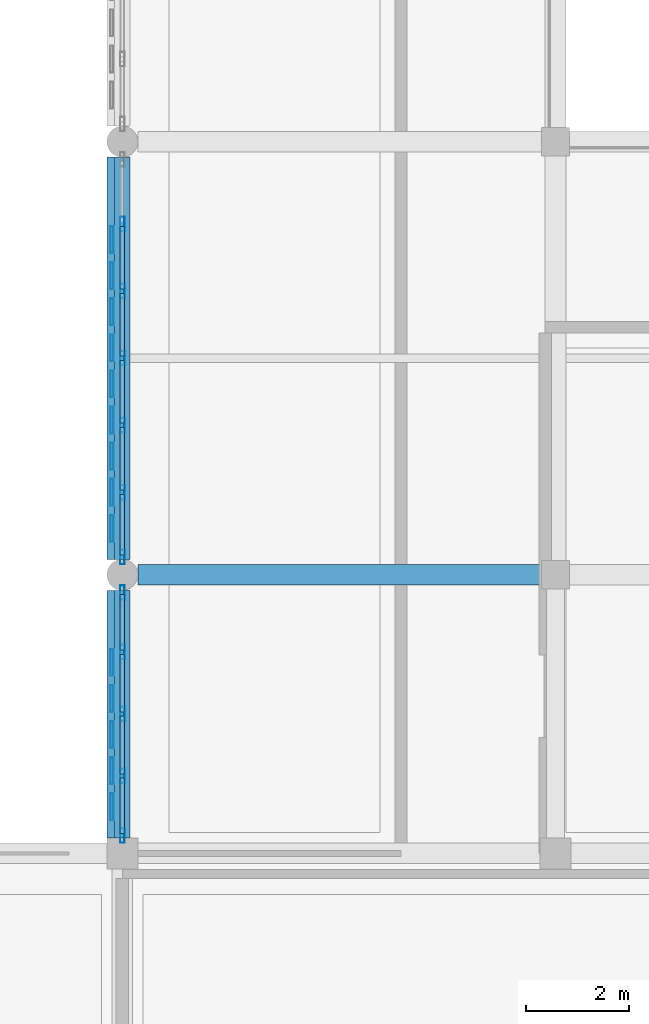
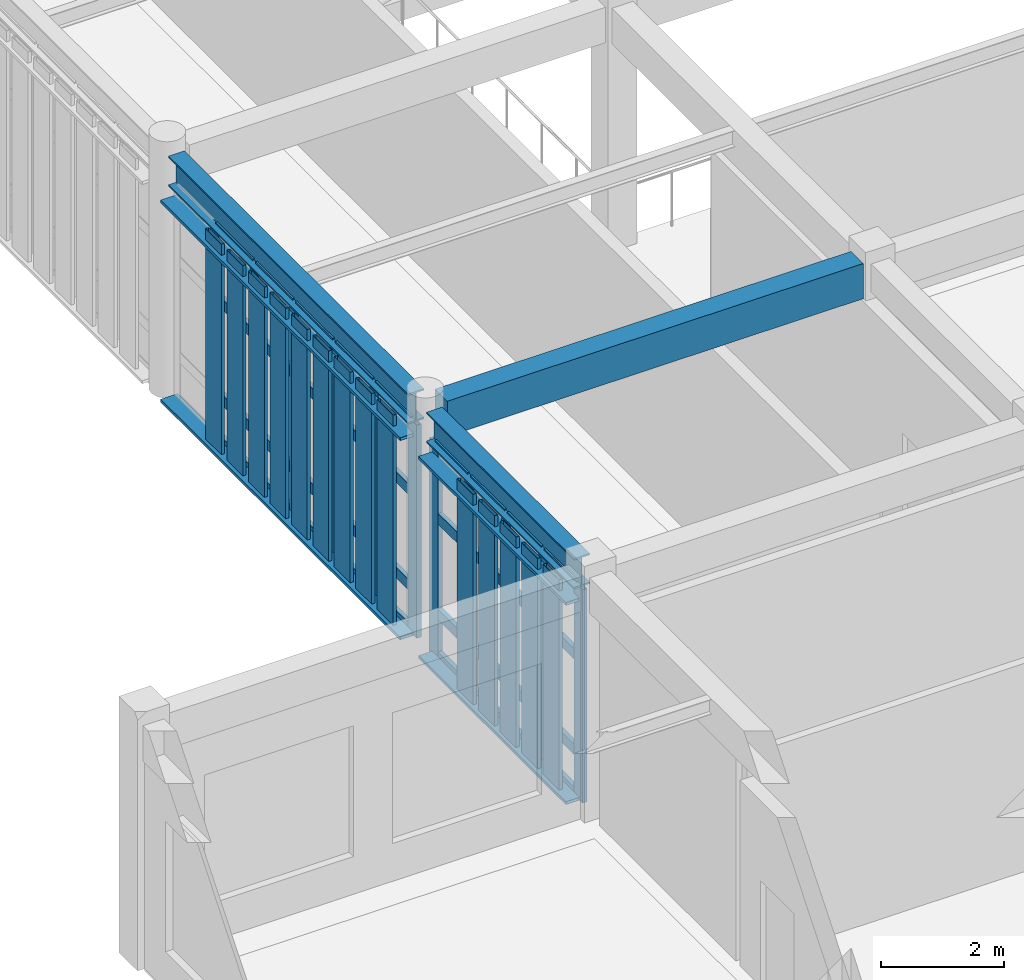
# One storey, part 12 of 77: 65 members, 3 beams, 2 elements without a shape of their own.
"""IFC4 building model written with IfcOpenShell, lengths in metres."""

from ifc_helpers import new_model, si_unit, direction, frame, origin, origin_2d, place, context, subcontext, project, spatial, rectangle, hollow_rectangle, i_section, extrude, material, layer, layer_set, material_profile, profile_set, type_object, element, aggregate, save


model = new_model("IFC4")

# Units and contexts
model_context = context("Model", 3, precision=1e-05, world=origin(), true_north=direction((0.0, 1.0)))
body_context = subcontext(model_context, "Body", "Model", "MODEL_VIEW")
ifc_project = project(units=[si_unit("LENGTHUNIT", "METRE"), si_unit("AREAUNIT", "SQUARE_METRE"), si_unit("VOLUMEUNIT", "CUBIC_METRE"), si_unit("PLANEANGLEUNIT", "RADIAN"), si_unit("MASSUNIT", "GRAM", prefix="KILO")], contexts=[model_context])

# Site, building, storey
site_placement = place(None, origin())
site = spatial("IfcSite", under=ifc_project, at=site_placement, CompositionType="ELEMENT")
building_placement = place(site_placement, origin())
building = spatial("IfcBuilding", under=site, at=building_placement, Name="Krzemoval Escarpment Law Courts", CompositionType="ELEMENT")
storey_placement = place(building_placement, frame((0.0, 0.0, 15.300048828125)))
storey = spatial("IfcBuildingStorey", under=building, at=storey_placement, Name="L03", CompositionType="ELEMENT", Elevation=15.300048828125)

# Beam
ifc_material_1 = material(Name="Concrete C40/50", Category="concrete")
ifc_material_profile_1 = material_profile(ifc_material_1, rectangle(XDim=0.39990234375, YDim=0.699951171875, at=origin_2d()), Name="RCB 400x700")
ifc_profile_set_1 = profile_set([ifc_material_profile_1], Name="Concrete C40/50")
beam_type_1 = type_object("IfcBeamType", Name="BM-RC-400x700", PredefinedType="BEAM", material=ifc_profile_set_1)
beam_1_placement = place(storey_placement, frame((8.699951171875, 40.800048828125, 4.489990234375), z_axis=(1.0, 0.0, 0.0), x_axis=(0.0, 1.0, 0.0)))
element("IfcBeam", 1, at=beam_1_placement, inside=storey, type_object=beam_type_1, Name="Beam FG-L03-2149", PredefinedType="BEAM", context=body_context, shape_type="SweptSolid", body=[
    extrude(rectangle(XDim=0.39990234375, YDim=0.699951171875, at=origin_2d()), origin(), (0.0, 0.0, 1.0), 7.824951171875),
])

# Curtain wall, members
ifc_material_2 = material(Name="Aluminium 6063-T6", Category="aluminium")
ifc_layer = layer(ifc_material_2, 0.280029296875)
ifc_layer_set = layer_set([ifc_layer], Name="Aluminium 6063-T6")
curtain_wall_type = type_object("IfcCurtainWallType", Name="CW-HALL-5100", PredefinedType="USERDEFINED", material=ifc_layer_set)
curtain_wall_1_placement = place(storey_placement, origin())
curtain_wall_1 = element("IfcCurtainWall", 2, at=curtain_wall_1_placement, inside=storey, type_object=curtain_wall_type, Name="Unitised Curtain Wall FCW-L03-096", ObjectType="UNITISED_CURTAIN_WALL", PredefinedType="USERDEFINED")
ifc_material_3 = material(Name="Aluminium 6063-T6", Category="aluminium")
ifc_material_profile_2 = material_profile(ifc_material_3, hollow_rectangle(XDim=0.0849609375, YDim=0.280029296875, WallThickness=0.005615234375, at=origin_2d()), Name="ALU M85x280")
ifc_profile_set_2 = profile_set([ifc_material_profile_2], Name="Aluminium 6063-T6")
member_type_1 = type_object("IfcMemberType", Name="CWM-85x280", PredefinedType="MULLION", material=ifc_profile_set_2)
member_1_placement = place(storey_placement, frame((8.39990234375, 35.742431640625, 0.0), z_axis=(0.0, 0.0, 1.0), x_axis=(-1.0, 0.0, 0.0)))
member_1 = element("IfcMember", 3, at=member_1_placement, type_object=member_type_1, Name="FCW-L03-096 mullion 1", PredefinedType="MULLION", context=body_context, shape_type="SweptSolid", body=[
    extrude(hollow_rectangle(XDim=0.0849609375, YDim=0.280029296875, WallThickness=0.005615234375, at=origin_2d()), origin(), (0.0, 0.0, 1.0), 4.239990234375),
])
member_2_placement = place(storey_placement, frame((8.39990234375, 36.89990234375, 0.0), z_axis=(0.0, 0.0, 1.0), x_axis=(-1.0, 0.0, 0.0)))
member_2 = element("IfcMember", 4, at=member_2_placement, type_object=member_type_1, Name="FCW-L03-096 mullion 2", PredefinedType="MULLION", context=body_context, shape_type="SweptSolid", body=[
    extrude(hollow_rectangle(XDim=0.0849609375, YDim=0.280029296875, WallThickness=0.005615234375, at=origin_2d()), origin(), (0.0, 0.0, 1.0), 4.239990234375),
])
member_3_placement = place(storey_placement, frame((8.39990234375, 38.10009765625, 0.0), z_axis=(0.0, 0.0, 1.0), x_axis=(-1.0, 0.0, 0.0)))
member_3 = element("IfcMember", 5, at=member_3_placement, type_object=member_type_1, Name="FCW-L03-096 mullion 3", PredefinedType="MULLION", context=body_context, shape_type="SweptSolid", body=[
    extrude(hollow_rectangle(XDim=0.0849609375, YDim=0.280029296875, WallThickness=0.005615234375, at=origin_2d()), origin(), (0.0, 0.0, 1.0), 4.239990234375),
])
member_4_placement = place(storey_placement, frame((8.39990234375, 39.300048828125, 0.0), z_axis=(0.0, 0.0, 1.0), x_axis=(-1.0, 0.0, 0.0)))
member_4 = element("IfcMember", 6, at=member_4_placement, type_object=member_type_1, Name="FCW-L03-096 mullion 4", PredefinedType="MULLION", context=body_context, shape_type="SweptSolid", body=[
    extrude(hollow_rectangle(XDim=0.0849609375, YDim=0.280029296875, WallThickness=0.005615234375, at=origin_2d()), origin(), (0.0, 0.0, 1.0), 4.239990234375),
])
member_5_placement = place(storey_placement, frame((8.39990234375, 40.45751953125, 0.0), z_axis=(0.0, 0.0, 1.0), x_axis=(-1.0, 0.0, 0.0)))
member_5 = element("IfcMember", 7, at=member_5_placement, type_object=member_type_1, Name="FCW-L03-096 mullion 5", PredefinedType="MULLION", context=body_context, shape_type="SweptSolid", body=[
    extrude(hollow_rectangle(XDim=0.0849609375, YDim=0.280029296875, WallThickness=0.005615234375, at=origin_2d()), origin(), (0.0, 0.0, 1.0), 4.239990234375),
])

curtain_wall_2_placement = place(storey_placement, origin())
curtain_wall_2 = element("IfcCurtainWall", 8, at=curtain_wall_2_placement, inside=storey, type_object=curtain_wall_type, Name="Unitised Curtain Wall FCW-L03-097", ObjectType="UNITISED_CURTAIN_WALL", PredefinedType="USERDEFINED")
member_6_placement = place(storey_placement, frame((8.39990234375, 41.142578125, 0.0), z_axis=(0.0, 0.0, 1.0), x_axis=(-1.0, 0.0, 0.0)))
member_6 = element("IfcMember", 9, at=member_6_placement, type_object=member_type_1, Name="FCW-L03-097 mullion 1", PredefinedType="MULLION", context=body_context, shape_type="SweptSolid", body=[
    extrude(hollow_rectangle(XDim=0.0849609375, YDim=0.280029296875, WallThickness=0.005615234375, at=origin_2d()), origin(), (0.0, 0.0, 1.0), 4.239990234375),
])
member_7_placement = place(storey_placement, frame((8.39990234375, 42.39990234375, 0.0), z_axis=(0.0, 0.0, 1.0), x_axis=(-1.0, 0.0, 0.0)))
member_7 = element("IfcMember", 10, at=member_7_placement, type_object=member_type_1, Name="FCW-L03-097 mullion 2", PredefinedType="MULLION", context=body_context, shape_type="SweptSolid", body=[
    extrude(hollow_rectangle(XDim=0.0849609375, YDim=0.280029296875, WallThickness=0.005615234375, at=origin_2d()), origin(), (0.0, 0.0, 1.0), 4.239990234375),
])
member_8_placement = place(storey_placement, frame((8.39990234375, 43.699951171875, 0.0), z_axis=(0.0, 0.0, 1.0), x_axis=(-1.0, 0.0, 0.0)))
member_8 = element("IfcMember", 11, at=member_8_placement, type_object=member_type_1, Name="FCW-L03-097 mullion 3", PredefinedType="MULLION", context=body_context, shape_type="SweptSolid", body=[
    extrude(hollow_rectangle(XDim=0.0849609375, YDim=0.280029296875, WallThickness=0.005615234375, at=origin_2d()), origin(), (0.0, 0.0, 1.0), 4.239990234375),
])
member_9_placement = place(storey_placement, frame((8.39990234375, 45.0, 0.0), z_axis=(0.0, 0.0, 1.0), x_axis=(-1.0, 0.0, 0.0)))
member_9 = element("IfcMember", 12, at=member_9_placement, type_object=member_type_1, Name="FCW-L03-097 mullion 4", PredefinedType="MULLION", context=body_context, shape_type="SweptSolid", body=[
    extrude(hollow_rectangle(XDim=0.0849609375, YDim=0.280029296875, WallThickness=0.005615234375, at=origin_2d()), origin(), (0.0, 0.0, 1.0), 4.239990234375),
])
member_10_placement = place(storey_placement, frame((8.39990234375, 46.300048828125, 0.0), z_axis=(0.0, 0.0, 1.0), x_axis=(-1.0, 0.0, 0.0)))
member_10 = element("IfcMember", 13, at=member_10_placement, type_object=member_type_1, Name="FCW-L03-097 mullion 5", PredefinedType="MULLION", context=body_context, shape_type="SweptSolid", body=[
    extrude(hollow_rectangle(XDim=0.0849609375, YDim=0.280029296875, WallThickness=0.005615234375, at=origin_2d()), origin(), (0.0, 0.0, 1.0), 4.239990234375),
])
member_11_placement = place(storey_placement, frame((8.39990234375, 47.60009765625, 0.0), z_axis=(0.0, 0.0, 1.0), x_axis=(-1.0, 0.0, 0.0)))
member_11 = element("IfcMember", 14, at=member_11_placement, type_object=member_type_1, Name="FCW-L03-097 mullion 6", PredefinedType="MULLION", context=body_context, shape_type="SweptSolid", body=[
    extrude(hollow_rectangle(XDim=0.0849609375, YDim=0.280029296875, WallThickness=0.005615234375, at=origin_2d()), origin(), (0.0, 0.0, 1.0), 4.239990234375),
])

# Member
ifc_material_4 = material(Name="Aluminium 6063-T6", Category="aluminium")
ifc_material_profile_3 = material_profile(ifc_material_4, hollow_rectangle(XDim=0.0849609375, YDim=0.2099609375, WallThickness=0.005615234375, at=origin_2d()), Name="ALU T85x210")
ifc_profile_set_3 = profile_set([ifc_material_profile_3], Name="Aluminium 6063-T6")
member_type_2 = type_object("IfcMemberType", Name="CWT-85x210", PredefinedType="USERDEFINED", material=ifc_profile_set_3)
member_12_placement = place(storey_placement, frame((8.39990234375, 35.784912109375, 0.04248046875), z_axis=(0.0, 1.0, 0.0), x_axis=(-1.0, 0.0, 0.0)))
member_12 = element("IfcMember", 15, at=member_12_placement, type_object=member_type_2, Name="FCW-L03-096 transom 1.1", ObjectType="TRANSOM", PredefinedType="USERDEFINED", context=body_context, shape_type="SweptSolid", body=[
    extrude(hollow_rectangle(XDim=0.0849609375, YDim=0.2099609375, WallThickness=0.005615234375, at=origin_2d()), origin(), (0.0, 0.0, 1.0), 1.072509765625),
])

member_13_placement = place(storey_placement, frame((8.39990234375, 35.784912109375, 0.89990234375), z_axis=(0.0, 1.0, 0.0), x_axis=(-1.0, 0.0, 0.0)))
member_13 = element("IfcMember", 16, at=member_13_placement, type_object=member_type_2, Name="FCW-L03-096 transom 1.2", ObjectType="TRANSOM", PredefinedType="USERDEFINED", context=body_context, shape_type="SweptSolid", body=[
    extrude(hollow_rectangle(XDim=0.0849609375, YDim=0.2099609375, WallThickness=0.005615234375, at=origin_2d()), origin(), (0.0, 0.0, 1.0), 1.072509765625),
])

member_14_placement = place(storey_placement, frame((8.39990234375, 35.784912109375, 2.800048828125), z_axis=(0.0, 1.0, 0.0), x_axis=(-1.0, 0.0, 0.0)))
member_14 = element("IfcMember", 17, at=member_14_placement, type_object=member_type_2, Name="FCW-L03-096 transom 1.3", ObjectType="TRANSOM", PredefinedType="USERDEFINED", context=body_context, shape_type="SweptSolid", body=[
    extrude(hollow_rectangle(XDim=0.0849609375, YDim=0.2099609375, WallThickness=0.005615234375, at=origin_2d()), origin(), (0.0, 0.0, 1.0), 1.072509765625),
])

member_15_placement = place(storey_placement, frame((8.39990234375, 35.784912109375, 4.197509765625), z_axis=(0.0, 1.0, 0.0), x_axis=(-1.0, 0.0, 0.0)))
member_15 = element("IfcMember", 18, at=member_15_placement, type_object=member_type_2, Name="FCW-L03-096 transom 1.4", ObjectType="TRANSOM", PredefinedType="USERDEFINED", context=body_context, shape_type="SweptSolid", body=[
    extrude(hollow_rectangle(XDim=0.0849609375, YDim=0.2099609375, WallThickness=0.005615234375, at=origin_2d()), origin(), (0.0, 0.0, 1.0), 1.072509765625),
])

member_16_placement = place(storey_placement, frame((8.39990234375, 36.9423828125, 0.04248046875), z_axis=(0.0, 1.0, 0.0), x_axis=(-1.0, 0.0, 0.0)))
member_16 = element("IfcMember", 19, at=member_16_placement, type_object=member_type_2, Name="FCW-L03-096 transom 2.1", ObjectType="TRANSOM", PredefinedType="USERDEFINED", context=body_context, shape_type="SweptSolid", body=[
    extrude(hollow_rectangle(XDim=0.0849609375, YDim=0.2099609375, WallThickness=0.005615234375, at=origin_2d()), origin(), (0.0, 0.0, 1.0), 1.115234375),
])

member_17_placement = place(storey_placement, frame((8.39990234375, 36.9423828125, 0.89990234375), z_axis=(0.0, 1.0, 0.0), x_axis=(-1.0, 0.0, 0.0)))
member_17 = element("IfcMember", 20, at=member_17_placement, type_object=member_type_2, Name="FCW-L03-096 transom 2.2", ObjectType="TRANSOM", PredefinedType="USERDEFINED", context=body_context, shape_type="SweptSolid", body=[
    extrude(hollow_rectangle(XDim=0.0849609375, YDim=0.2099609375, WallThickness=0.005615234375, at=origin_2d()), origin(), (0.0, 0.0, 1.0), 1.115234375),
])

member_18_placement = place(storey_placement, frame((8.39990234375, 36.9423828125, 2.800048828125), z_axis=(0.0, 1.0, 0.0), x_axis=(-1.0, 0.0, 0.0)))
member_18 = element("IfcMember", 21, at=member_18_placement, type_object=member_type_2, Name="FCW-L03-096 transom 2.3", ObjectType="TRANSOM", PredefinedType="USERDEFINED", context=body_context, shape_type="SweptSolid", body=[
    extrude(hollow_rectangle(XDim=0.0849609375, YDim=0.2099609375, WallThickness=0.005615234375, at=origin_2d()), origin(), (0.0, 0.0, 1.0), 1.115234375),
])

member_19_placement = place(storey_placement, frame((8.39990234375, 36.9423828125, 4.197509765625), z_axis=(0.0, 1.0, 0.0), x_axis=(-1.0, 0.0, 0.0)))
member_19 = element("IfcMember", 22, at=member_19_placement, type_object=member_type_2, Name="FCW-L03-096 transom 2.4", ObjectType="TRANSOM", PredefinedType="USERDEFINED", context=body_context, shape_type="SweptSolid", body=[
    extrude(hollow_rectangle(XDim=0.0849609375, YDim=0.2099609375, WallThickness=0.005615234375, at=origin_2d()), origin(), (0.0, 0.0, 1.0), 1.115234375),
])

member_20_placement = place(storey_placement, frame((8.39990234375, 38.142578125, 0.04248046875), z_axis=(0.0, 1.0, 0.0), x_axis=(-1.0, 0.0, 0.0)))
member_20 = element("IfcMember", 23, at=member_20_placement, type_object=member_type_2, Name="FCW-L03-096 transom 3.1", ObjectType="TRANSOM", PredefinedType="USERDEFINED", context=body_context, shape_type="SweptSolid", body=[
    extrude(hollow_rectangle(XDim=0.0849609375, YDim=0.2099609375, WallThickness=0.005615234375, at=origin_2d()), origin(), (0.0, 0.0, 1.0), 1.114990234375),
])

member_21_placement = place(storey_placement, frame((8.39990234375, 38.142578125, 0.89990234375), z_axis=(0.0, 1.0, 0.0), x_axis=(-1.0, 0.0, 0.0)))
member_21 = element("IfcMember", 24, at=member_21_placement, type_object=member_type_2, Name="FCW-L03-096 transom 3.2", ObjectType="TRANSOM", PredefinedType="USERDEFINED", context=body_context, shape_type="SweptSolid", body=[
    extrude(hollow_rectangle(XDim=0.0849609375, YDim=0.2099609375, WallThickness=0.005615234375, at=origin_2d()), origin(), (0.0, 0.0, 1.0), 1.114990234375),
])

member_22_placement = place(storey_placement, frame((8.39990234375, 38.142578125, 2.800048828125), z_axis=(0.0, 1.0, 0.0), x_axis=(-1.0, 0.0, 0.0)))
member_22 = element("IfcMember", 25, at=member_22_placement, type_object=member_type_2, Name="FCW-L03-096 transom 3.3", ObjectType="TRANSOM", PredefinedType="USERDEFINED", context=body_context, shape_type="SweptSolid", body=[
    extrude(hollow_rectangle(XDim=0.0849609375, YDim=0.2099609375, WallThickness=0.005615234375, at=origin_2d()), origin(), (0.0, 0.0, 1.0), 1.114990234375),
])

member_23_placement = place(storey_placement, frame((8.39990234375, 38.142578125, 4.197509765625), z_axis=(0.0, 1.0, 0.0), x_axis=(-1.0, 0.0, 0.0)))
member_23 = element("IfcMember", 26, at=member_23_placement, type_object=member_type_2, Name="FCW-L03-096 transom 3.4", ObjectType="TRANSOM", PredefinedType="USERDEFINED", context=body_context, shape_type="SweptSolid", body=[
    extrude(hollow_rectangle(XDim=0.0849609375, YDim=0.2099609375, WallThickness=0.005615234375, at=origin_2d()), origin(), (0.0, 0.0, 1.0), 1.114990234375),
])

member_24_placement = place(storey_placement, frame((8.39990234375, 39.342529296875, 0.04248046875), z_axis=(0.0, 1.0, 0.0), x_axis=(-1.0, 0.0, 0.0)))
member_24 = element("IfcMember", 27, at=member_24_placement, type_object=member_type_2, Name="FCW-L03-096 transom 4.1", ObjectType="TRANSOM", PredefinedType="USERDEFINED", context=body_context, shape_type="SweptSolid", body=[
    extrude(hollow_rectangle(XDim=0.0849609375, YDim=0.2099609375, WallThickness=0.005615234375, at=origin_2d()), origin(), (0.0, 0.0, 1.0), 1.072509765625),
])

member_25_placement = place(storey_placement, frame((8.39990234375, 39.342529296875, 0.89990234375), z_axis=(0.0, 1.0, 0.0), x_axis=(-1.0, 0.0, 0.0)))
member_25 = element("IfcMember", 28, at=member_25_placement, type_object=member_type_2, Name="FCW-L03-096 transom 4.2", ObjectType="TRANSOM", PredefinedType="USERDEFINED", context=body_context, shape_type="SweptSolid", body=[
    extrude(hollow_rectangle(XDim=0.0849609375, YDim=0.2099609375, WallThickness=0.005615234375, at=origin_2d()), origin(), (0.0, 0.0, 1.0), 1.072509765625),
])

member_26_placement = place(storey_placement, frame((8.39990234375, 39.342529296875, 2.800048828125), z_axis=(0.0, 1.0, 0.0), x_axis=(-1.0, 0.0, 0.0)))
member_26 = element("IfcMember", 29, at=member_26_placement, type_object=member_type_2, Name="FCW-L03-096 transom 4.3", ObjectType="TRANSOM", PredefinedType="USERDEFINED", context=body_context, shape_type="SweptSolid", body=[
    extrude(hollow_rectangle(XDim=0.0849609375, YDim=0.2099609375, WallThickness=0.005615234375, at=origin_2d()), origin(), (0.0, 0.0, 1.0), 1.072509765625),
])

member_27_placement = place(storey_placement, frame((8.39990234375, 39.342529296875, 4.197509765625), z_axis=(0.0, 1.0, 0.0), x_axis=(-1.0, 0.0, 0.0)))
member_27 = element("IfcMember", 30, at=member_27_placement, type_object=member_type_2, Name="FCW-L03-096 transom 4.4", ObjectType="TRANSOM", PredefinedType="USERDEFINED", context=body_context, shape_type="SweptSolid", body=[
    extrude(hollow_rectangle(XDim=0.0849609375, YDim=0.2099609375, WallThickness=0.005615234375, at=origin_2d()), origin(), (0.0, 0.0, 1.0), 1.072509765625),
])

aggregate(curtain_wall_1, [member_1, member_2, member_3, member_4, member_5, member_12, member_13, member_14, member_15, member_16, member_17, member_18, member_19, member_20, member_21, member_22, member_23, member_24, member_25, member_26, member_27])

member_28_placement = place(storey_placement, frame((8.39990234375, 41.18505859375, 0.04248046875), z_axis=(0.0, 1.0, 0.0), x_axis=(-1.0, 0.0, 0.0)))
member_28 = element("IfcMember", 31, at=member_28_placement, type_object=member_type_2, Name="FCW-L03-097 transom 1.1", ObjectType="TRANSOM", PredefinedType="USERDEFINED", context=body_context, shape_type="SweptSolid", body=[
    extrude(hollow_rectangle(XDim=0.0849609375, YDim=0.2099609375, WallThickness=0.005615234375, at=origin_2d()), origin(), (0.0, 0.0, 1.0), 1.17236328125),
])

member_29_placement = place(storey_placement, frame((8.39990234375, 41.18505859375, 0.89990234375), z_axis=(0.0, 1.0, 0.0), x_axis=(-1.0, 0.0, 0.0)))
member_29 = element("IfcMember", 32, at=member_29_placement, type_object=member_type_2, Name="FCW-L03-097 transom 1.2", ObjectType="TRANSOM", PredefinedType="USERDEFINED", context=body_context, shape_type="SweptSolid", body=[
    extrude(hollow_rectangle(XDim=0.0849609375, YDim=0.2099609375, WallThickness=0.005615234375, at=origin_2d()), origin(), (0.0, 0.0, 1.0), 1.17236328125),
])

member_30_placement = place(storey_placement, frame((8.39990234375, 41.18505859375, 2.800048828125), z_axis=(0.0, 1.0, 0.0), x_axis=(-1.0, 0.0, 0.0)))
member_30 = element("IfcMember", 33, at=member_30_placement, type_object=member_type_2, Name="FCW-L03-097 transom 1.3", ObjectType="TRANSOM", PredefinedType="USERDEFINED", context=body_context, shape_type="SweptSolid", body=[
    extrude(hollow_rectangle(XDim=0.0849609375, YDim=0.2099609375, WallThickness=0.005615234375, at=origin_2d()), origin(), (0.0, 0.0, 1.0), 1.17236328125),
])

member_31_placement = place(storey_placement, frame((8.39990234375, 41.18505859375, 4.197509765625), z_axis=(0.0, 1.0, 0.0), x_axis=(-1.0, 0.0, 0.0)))
member_31 = element("IfcMember", 34, at=member_31_placement, type_object=member_type_2, Name="FCW-L03-097 transom 1.4", ObjectType="TRANSOM", PredefinedType="USERDEFINED", context=body_context, shape_type="SweptSolid", body=[
    extrude(hollow_rectangle(XDim=0.0849609375, YDim=0.2099609375, WallThickness=0.005615234375, at=origin_2d()), origin(), (0.0, 0.0, 1.0), 1.17236328125),
])

member_32_placement = place(storey_placement, frame((8.39990234375, 42.4423828125, 0.04248046875), z_axis=(0.0, 1.0, 0.0), x_axis=(-1.0, 0.0, 0.0)))
member_32 = element("IfcMember", 35, at=member_32_placement, type_object=member_type_2, Name="FCW-L03-097 transom 2.1", ObjectType="TRANSOM", PredefinedType="USERDEFINED", context=body_context, shape_type="SweptSolid", body=[
    extrude(hollow_rectangle(XDim=0.0849609375, YDim=0.2099609375, WallThickness=0.005615234375, at=origin_2d()), origin(), (0.0, 0.0, 1.0), 1.215087890625),
])

member_33_placement = place(storey_placement, frame((8.39990234375, 42.4423828125, 0.89990234375), z_axis=(0.0, 1.0, 0.0), x_axis=(-1.0, 0.0, 0.0)))
member_33 = element("IfcMember", 36, at=member_33_placement, type_object=member_type_2, Name="FCW-L03-097 transom 2.2", ObjectType="TRANSOM", PredefinedType="USERDEFINED", context=body_context, shape_type="SweptSolid", body=[
    extrude(hollow_rectangle(XDim=0.0849609375, YDim=0.2099609375, WallThickness=0.005615234375, at=origin_2d()), origin(), (0.0, 0.0, 1.0), 1.215087890625),
])

member_34_placement = place(storey_placement, frame((8.39990234375, 42.4423828125, 2.800048828125), z_axis=(0.0, 1.0, 0.0), x_axis=(-1.0, 0.0, 0.0)))
member_34 = element("IfcMember", 37, at=member_34_placement, type_object=member_type_2, Name="FCW-L03-097 transom 2.3", ObjectType="TRANSOM", PredefinedType="USERDEFINED", context=body_context, shape_type="SweptSolid", body=[
    extrude(hollow_rectangle(XDim=0.0849609375, YDim=0.2099609375, WallThickness=0.005615234375, at=origin_2d()), origin(), (0.0, 0.0, 1.0), 1.215087890625),
])

member_35_placement = place(storey_placement, frame((8.39990234375, 42.4423828125, 4.197509765625), z_axis=(0.0, 1.0, 0.0), x_axis=(-1.0, 0.0, 0.0)))
member_35 = element("IfcMember", 38, at=member_35_placement, type_object=member_type_2, Name="FCW-L03-097 transom 2.4", ObjectType="TRANSOM", PredefinedType="USERDEFINED", context=body_context, shape_type="SweptSolid", body=[
    extrude(hollow_rectangle(XDim=0.0849609375, YDim=0.2099609375, WallThickness=0.005615234375, at=origin_2d()), origin(), (0.0, 0.0, 1.0), 1.215087890625),
])

member_36_placement = place(storey_placement, frame((8.39990234375, 43.742431640625, 0.04248046875), z_axis=(0.0, 1.0, 0.0), x_axis=(-1.0, 0.0, 0.0)))
member_36 = element("IfcMember", 39, at=member_36_placement, type_object=member_type_2, Name="FCW-L03-097 transom 3.1", ObjectType="TRANSOM", PredefinedType="USERDEFINED", context=body_context, shape_type="SweptSolid", body=[
    extrude(hollow_rectangle(XDim=0.0849609375, YDim=0.2099609375, WallThickness=0.005615234375, at=origin_2d()), origin(), (0.0, 0.0, 1.0), 1.215087890625),
])

member_37_placement = place(storey_placement, frame((8.39990234375, 43.742431640625, 0.89990234375), z_axis=(0.0, 1.0, 0.0), x_axis=(-1.0, 0.0, 0.0)))
member_37 = element("IfcMember", 40, at=member_37_placement, type_object=member_type_2, Name="FCW-L03-097 transom 3.2", ObjectType="TRANSOM", PredefinedType="USERDEFINED", context=body_context, shape_type="SweptSolid", body=[
    extrude(hollow_rectangle(XDim=0.0849609375, YDim=0.2099609375, WallThickness=0.005615234375, at=origin_2d()), origin(), (0.0, 0.0, 1.0), 1.215087890625),
])

member_38_placement = place(storey_placement, frame((8.39990234375, 43.742431640625, 2.800048828125), z_axis=(0.0, 1.0, 0.0), x_axis=(-1.0, 0.0, 0.0)))
member_38 = element("IfcMember", 41, at=member_38_placement, type_object=member_type_2, Name="FCW-L03-097 transom 3.3", ObjectType="TRANSOM", PredefinedType="USERDEFINED", context=body_context, shape_type="SweptSolid", body=[
    extrude(hollow_rectangle(XDim=0.0849609375, YDim=0.2099609375, WallThickness=0.005615234375, at=origin_2d()), origin(), (0.0, 0.0, 1.0), 1.215087890625),
])

member_39_placement = place(storey_placement, frame((8.39990234375, 43.742431640625, 4.197509765625), z_axis=(0.0, 1.0, 0.0), x_axis=(-1.0, 0.0, 0.0)))
member_39 = element("IfcMember", 42, at=member_39_placement, type_object=member_type_2, Name="FCW-L03-097 transom 3.4", ObjectType="TRANSOM", PredefinedType="USERDEFINED", context=body_context, shape_type="SweptSolid", body=[
    extrude(hollow_rectangle(XDim=0.0849609375, YDim=0.2099609375, WallThickness=0.005615234375, at=origin_2d()), origin(), (0.0, 0.0, 1.0), 1.215087890625),
])

member_40_placement = place(storey_placement, frame((8.39990234375, 45.04248046875, 0.04248046875), z_axis=(0.0, 1.0, 0.0), x_axis=(-1.0, 0.0, 0.0)))
member_40 = element("IfcMember", 43, at=member_40_placement, type_object=member_type_2, Name="FCW-L03-097 transom 4.1", ObjectType="TRANSOM", PredefinedType="USERDEFINED", context=body_context, shape_type="SweptSolid", body=[
    extrude(hollow_rectangle(XDim=0.0849609375, YDim=0.2099609375, WallThickness=0.005615234375, at=origin_2d()), origin(), (0.0, 0.0, 1.0), 1.215087890625),
])

member_41_placement = place(storey_placement, frame((8.39990234375, 45.04248046875, 0.89990234375), z_axis=(0.0, 1.0, 0.0), x_axis=(-1.0, 0.0, 0.0)))
member_41 = element("IfcMember", 44, at=member_41_placement, type_object=member_type_2, Name="FCW-L03-097 transom 4.2", ObjectType="TRANSOM", PredefinedType="USERDEFINED", context=body_context, shape_type="SweptSolid", body=[
    extrude(hollow_rectangle(XDim=0.0849609375, YDim=0.2099609375, WallThickness=0.005615234375, at=origin_2d()), origin(), (0.0, 0.0, 1.0), 1.215087890625),
])

member_42_placement = place(storey_placement, frame((8.39990234375, 45.04248046875, 2.800048828125), z_axis=(0.0, 1.0, 0.0), x_axis=(-1.0, 0.0, 0.0)))
member_42 = element("IfcMember", 45, at=member_42_placement, type_object=member_type_2, Name="FCW-L03-097 transom 4.3", ObjectType="TRANSOM", PredefinedType="USERDEFINED", context=body_context, shape_type="SweptSolid", body=[
    extrude(hollow_rectangle(XDim=0.0849609375, YDim=0.2099609375, WallThickness=0.005615234375, at=origin_2d()), origin(), (0.0, 0.0, 1.0), 1.215087890625),
])

member_43_placement = place(storey_placement, frame((8.39990234375, 45.04248046875, 4.197509765625), z_axis=(0.0, 1.0, 0.0), x_axis=(-1.0, 0.0, 0.0)))
member_43 = element("IfcMember", 46, at=member_43_placement, type_object=member_type_2, Name="FCW-L03-097 transom 4.4", ObjectType="TRANSOM", PredefinedType="USERDEFINED", context=body_context, shape_type="SweptSolid", body=[
    extrude(hollow_rectangle(XDim=0.0849609375, YDim=0.2099609375, WallThickness=0.005615234375, at=origin_2d()), origin(), (0.0, 0.0, 1.0), 1.215087890625),
])

member_44_placement = place(storey_placement, frame((8.39990234375, 46.342529296875, 0.04248046875), z_axis=(0.0, 1.0, 0.0), x_axis=(-1.0, 0.0, 0.0)))
member_44 = element("IfcMember", 47, at=member_44_placement, type_object=member_type_2, Name="FCW-L03-097 transom 5.1", ObjectType="TRANSOM", PredefinedType="USERDEFINED", context=body_context, shape_type="SweptSolid", body=[
    extrude(hollow_rectangle(XDim=0.0849609375, YDim=0.2099609375, WallThickness=0.005615234375, at=origin_2d()), origin(), (0.0, 0.0, 1.0), 1.215087890625),
])

member_45_placement = place(storey_placement, frame((8.39990234375, 46.342529296875, 0.89990234375), z_axis=(0.0, 1.0, 0.0), x_axis=(-1.0, 0.0, 0.0)))
member_45 = element("IfcMember", 48, at=member_45_placement, type_object=member_type_2, Name="FCW-L03-097 transom 5.2", ObjectType="TRANSOM", PredefinedType="USERDEFINED", context=body_context, shape_type="SweptSolid", body=[
    extrude(hollow_rectangle(XDim=0.0849609375, YDim=0.2099609375, WallThickness=0.005615234375, at=origin_2d()), origin(), (0.0, 0.0, 1.0), 1.215087890625),
])

member_46_placement = place(storey_placement, frame((8.39990234375, 46.342529296875, 2.800048828125), z_axis=(0.0, 1.0, 0.0), x_axis=(-1.0, 0.0, 0.0)))
member_46 = element("IfcMember", 49, at=member_46_placement, type_object=member_type_2, Name="FCW-L03-097 transom 5.3", ObjectType="TRANSOM", PredefinedType="USERDEFINED", context=body_context, shape_type="SweptSolid", body=[
    extrude(hollow_rectangle(XDim=0.0849609375, YDim=0.2099609375, WallThickness=0.005615234375, at=origin_2d()), origin(), (0.0, 0.0, 1.0), 1.215087890625),
])

member_47_placement = place(storey_placement, frame((8.39990234375, 46.342529296875, 4.197509765625), z_axis=(0.0, 1.0, 0.0), x_axis=(-1.0, 0.0, 0.0)))
member_47 = element("IfcMember", 50, at=member_47_placement, type_object=member_type_2, Name="FCW-L03-097 transom 5.4", ObjectType="TRANSOM", PredefinedType="USERDEFINED", context=body_context, shape_type="SweptSolid", body=[
    extrude(hollow_rectangle(XDim=0.0849609375, YDim=0.2099609375, WallThickness=0.005615234375, at=origin_2d()), origin(), (0.0, 0.0, 1.0), 1.215087890625),
])

aggregate(curtain_wall_2, [member_6, member_7, member_8, member_9, member_10, member_11, member_28, member_29, member_30, member_31, member_32, member_33, member_34, member_35, member_36, member_37, member_38, member_39, member_40, member_41, member_42, member_43, member_44, member_45, member_46, member_47])

# Members
ifc_material_5 = material(Name="Anodised Aluminium Alloy 6063-T6", Category="aluminium")
ifc_material_profile_4 = material_profile(ifc_material_5, hollow_rectangle(XDim=0.06005859375, YDim=0.320068359375, WallThickness=0.00390625, at=origin_2d()), Name="ALU LVR 60x320")
ifc_profile_set_4 = profile_set([ifc_material_profile_4], Name="Anodised Aluminium Alloy 6063-T6")
member_type_3 = type_object("IfcMemberType", Name="LVR-ALU-320", PredefinedType="USERDEFINED", material=ifc_profile_set_4)
for number, where, z_axis, x_axis, name in (
    (51, (8.260009765625, 35.699951171875, 0.030029296875), (0.0, 1.0, 0.0), (0.0, 0.0, 1.0), "Sunshade Support Rail FSR-L03-0606"),
    (52, (8.260009765625, 35.699951171875, 3.989990234375), (0.0, 1.0, 0.0), (0.0, 0.0, 1.0), "Sunshade Support Rail FSR-L03-0607"),
):
    element("IfcMember", number, at=place(storey_placement, frame(where, z_axis=z_axis, x_axis=x_axis)), inside=storey, type_object=member_type_3, Name=name, ObjectType="SUNSHADE_LOUVRE", PredefinedType="USERDEFINED", context=body_context, shape_type="SweptSolid", body=[
        extrude(hollow_rectangle(XDim=0.06005859375, YDim=0.320068359375, WallThickness=0.00390625, at=origin_2d()), origin(), (0.0, 0.0, 1.0), 4.800048828125),
    ])
for number, where, z_axis, x_axis, name in (
    (53, (8.260009765625, 41.10009765625, 0.030029296875), (0.0, 1.0, 0.0), (0.0, 0.0, 1.0), "Sunshade Support Rail FSR-L03-0613"),
    (54, (8.260009765625, 41.10009765625, 3.989990234375), (0.0, 1.0, 0.0), (0.0, 0.0, 1.0), "Sunshade Support Rail FSR-L03-0614"),
):
    element("IfcMember", number, at=place(storey_placement, frame(where, z_axis=z_axis, x_axis=x_axis)), inside=storey, type_object=member_type_3, Name=name, ObjectType="SUNSHADE_LOUVRE", PredefinedType="USERDEFINED", context=body_context, shape_type="SweptSolid", body=[
        extrude(hollow_rectangle(XDim=0.06005859375, YDim=0.320068359375, WallThickness=0.00390625, at=origin_2d()), origin(), (0.0, 0.0, 1.0), 7.7998046875),
    ])
ifc_material_6 = material(Name="Anodised Aluminium Alloy 6063-T6", Category="aluminium")
ifc_material_profile_5 = material_profile(ifc_material_6, hollow_rectangle(XDim=0.06494140625, YDim=0.52001953125, WallThickness=0.00439453125, at=origin_2d()), Name="ALU LVR 65x520")
ifc_profile_set_5 = profile_set([ifc_material_profile_5], Name="Anodised Aluminium Alloy 6063-T6")
member_type_4 = type_object("IfcMemberType", Name="LVR-ALU-520", PredefinedType="USERDEFINED", material=ifc_profile_set_5)
for number, where, z_axis, x_axis, name in (
    (55, (8.199951171875, 36.300048828125, 0.06005859375), (0.0, 0.0, 1.0), (1.0, 0.0, 0.0), "Sunshade Louvre Fin FLV-L03-0608"),
    (56, (8.199951171875, 37.0, 0.06005859375), (0.0, 0.0, 1.0), (1.0, 0.0, 0.0), "Sunshade Louvre Fin FLV-L03-0609"),
    (57, (8.199951171875, 37.699951171875, 0.06005859375), (0.0, 0.0, 1.0), (1.0, 0.0, 0.0), "Sunshade Louvre Fin FLV-L03-0610"),
    (58, (8.199951171875, 38.39990234375, 0.06005859375), (0.0, 0.0, 1.0), (1.0, 0.0, 0.0), "Sunshade Louvre Fin FLV-L03-0611"),
    (59, (8.199951171875, 39.10009765625, 0.06005859375), (0.0, 0.0, 1.0), (1.0, 0.0, 0.0), "Sunshade Louvre Fin FLV-L03-0612"),
    (60, (8.199951171875, 41.699951171875, 0.06005859375), (0.0, 0.0, 1.0), (1.0, 0.0, 0.0), "Sunshade Louvre Fin FLV-L03-0615"),
    (61, (8.199951171875, 42.39990234375, 0.06005859375), (0.0, 0.0, 1.0), (1.0, 0.0, 0.0), "Sunshade Louvre Fin FLV-L03-0616"),
    (62, (8.199951171875, 43.10009765625, 0.06005859375), (0.0, 0.0, 1.0), (1.0, 0.0, 0.0), "Sunshade Louvre Fin FLV-L03-0617"),
    (63, (8.199951171875, 43.800048828125, 0.06005859375), (0.0, 0.0, 1.0), (1.0, 0.0, 0.0), "Sunshade Louvre Fin FLV-L03-0618"),
    (64, (8.199951171875, 44.5, 0.06005859375), (0.0, 0.0, 1.0), (1.0, 0.0, 0.0), "Sunshade Louvre Fin FLV-L03-0619"),
    (65, (8.199951171875, 45.199951171875, 0.06005859375), (0.0, 0.0, 1.0), (1.0, 0.0, 0.0), "Sunshade Louvre Fin FLV-L03-0620"),
    (66, (8.199951171875, 45.89990234375, 0.06005859375), (0.0, 0.0, 1.0), (1.0, 0.0, 0.0), "Sunshade Louvre Fin FLV-L03-0621"),
    (67, (8.199951171875, 46.60009765625, 0.06005859375), (0.0, 0.0, 1.0), (1.0, 0.0, 0.0), "Sunshade Louvre Fin FLV-L03-0622"),
    (68, (8.199951171875, 47.300048828125, 0.06005859375), (0.0, 0.0, 1.0), (1.0, 0.0, 0.0), "Sunshade Louvre Fin FLV-L03-0623"),
):
    element("IfcMember", number, at=place(storey_placement, frame(where, z_axis=z_axis, x_axis=x_axis)), inside=storey, type_object=member_type_4, Name=name, ObjectType="SUNSHADE_LOUVRE", PredefinedType="USERDEFINED", context=body_context, shape_type="SweptSolid", body=[
        extrude(hollow_rectangle(XDim=0.06494140625, YDim=0.52001953125, WallThickness=0.00439453125, at=origin_2d()), origin(), (0.0, 0.0, 1.0), 4.179931640625),
    ])

# Beams
ifc_material_7 = material(Name="Steel S355", Category="steel")
ifc_material_profile_6 = material_profile(ifc_material_7, i_section(OverallWidth=0.300048828125, OverallDepth=0.60009765625, WebThickness=0.015380859375, FlangeThickness=0.030029296875, at=origin_2d()), Name="HEB 600")
ifc_profile_set_6 = profile_set([ifc_material_profile_6], Name="Steel S355")
beam_type_2 = type_object("IfcBeamType", Name="SPN-S355-HEB600", PredefinedType="SPANDREL", material=ifc_profile_set_6)
beam_2_placement = place(storey_placement, frame((8.39990234375, 35.699951171875, 4.5400390625), z_axis=(0.0, 1.0, 0.0), x_axis=(-1.0, 0.0, 0.0)))
element("IfcBeam", 69, at=beam_2_placement, inside=storey, type_object=beam_type_2, Name="Beam FG-L03-2222", PredefinedType="SPANDREL", context=body_context, shape_type="SweptSolid", body=[
    extrude(i_section(OverallWidth=0.300048828125, OverallDepth=0.60009765625, WebThickness=0.015380859375, FlangeThickness=0.030029296875, at=origin_2d()), origin(), (0.0, 0.0, 1.0), 4.800048828125),
])
beam_3_placement = place(storey_placement, frame((8.39990234375, 41.10009765625, 4.5400390625), z_axis=(0.0, 1.0, 0.0), x_axis=(-1.0, 0.0, 0.0)))
element("IfcBeam", 70, at=beam_3_placement, inside=storey, type_object=beam_type_2, Name="Beam FG-L03-2223", PredefinedType="SPANDREL", context=body_context, shape_type="SweptSolid", body=[
    extrude(i_section(OverallWidth=0.300048828125, OverallDepth=0.60009765625, WebThickness=0.015380859375, FlangeThickness=0.030029296875, at=origin_2d()), origin(), (0.0, 0.0, 1.0), 7.7998046875),
])

save(model, "model.ifc")
